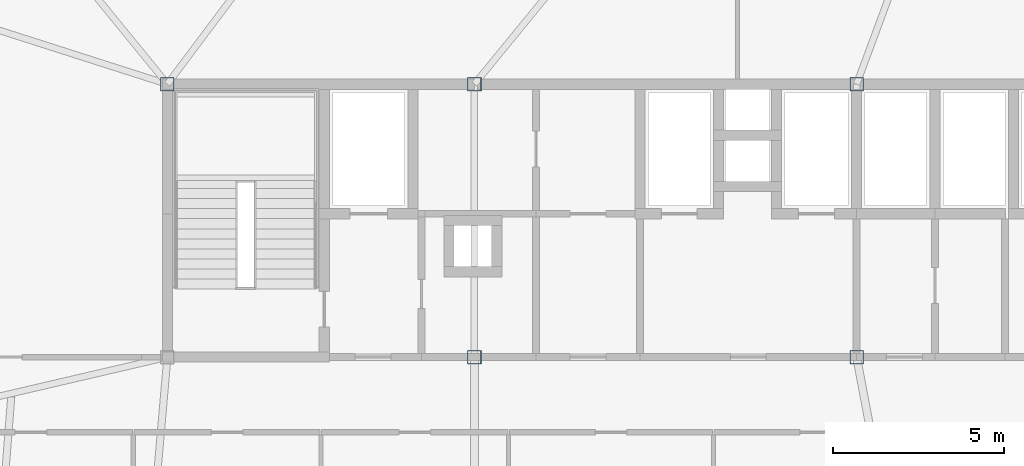
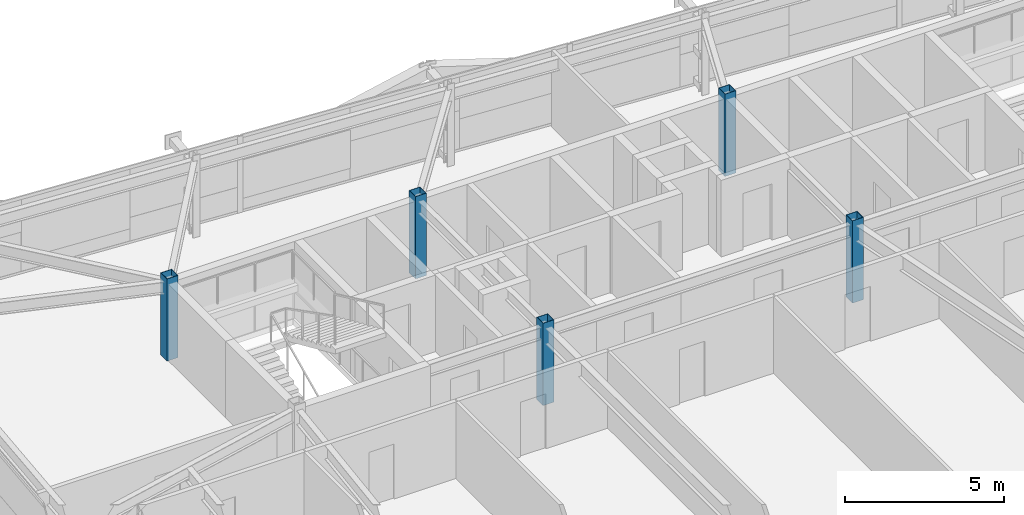
# One storey, part 2 of 39: 5 columns.
"""IFC4 building model written with IfcOpenShell, lengths in metres."""

from ifc_helpers import new_model, si_unit, direction, frame, origin, origin_2d, place, context, subcontext, project, spatial, hollow_rectangle, extrude, source, transform, mapped, material, material_profile, profile_set, type_object, element, save


model = new_model("IFC4")

# Units and contexts
model_context = context("Model", 3, precision=1e-05, world=origin(), true_north=direction((0.0, 1.0)))
body_context = subcontext(model_context, "Body", "Model", "MODEL_VIEW")
ifc_project = project(units=[si_unit("LENGTHUNIT", "METRE"), si_unit("AREAUNIT", "SQUARE_METRE"), si_unit("VOLUMEUNIT", "CUBIC_METRE"), si_unit("PLANEANGLEUNIT", "RADIAN"), si_unit("MASSUNIT", "GRAM", prefix="KILO")], contexts=[model_context])

# Site, building, storey
site_placement = place(None, origin())
site = spatial("IfcSite", under=ifc_project, at=site_placement, CompositionType="ELEMENT")
building_placement = place(site_placement, origin())
building = spatial("IfcBuilding", under=site, at=building_placement, Name="Taldren Reach Tower", CompositionType="ELEMENT")
storey_placement = place(building_placement, frame((0.0, 0.0, 123.550048828125)))
storey = spatial("IfcBuildingStorey", under=building, at=storey_placement, Name="L37", CompositionType="ELEMENT", Elevation=123.550048828125)

# Columns
ifc_material = material(Name="Steel Gr 450 (C450L0)", Category="steel")
ifc_material_profile = material_profile(ifc_material, hollow_rectangle(XDim=0.39990234375, YDim=0.39990234375, WallThickness=0.01611328125, at=origin_2d()), Name="400x400x16.0SHS")
ifc_profile_set = profile_set([ifc_material_profile], Name="Steel Gr 450 (C450L0)")
column_type = type_object("IfcColumnType", Name="COL-SHS400", PredefinedType="COLUMN", material=ifc_profile_set)
shared_shape = source(origin(), body_context, "Body", "SweptSolid", [
    extrude(hollow_rectangle(XDim=0.39990234375, YDim=0.39990234375, WallThickness=0.01611328125, at=origin_2d()), origin(), (0.0, 0.0, 1.0), 3.14990234375),
])
for number, where, z_axis, x_axis, name in (
    (1, (28.0, 24.0, 0.0), (0.0, 0.0, 1.0), (1.0, 0.0, 0.0), "Mega column MC-C2 L37"),
    (2, (39.199951171875, 24.0, 0.0), (0.0, 0.0, 1.0), (1.0, 0.0, 0.0), "Mega column MC-C3 L37"),
    (3, (19.0, 32.0, 0.0), (0.0, 0.0, 1.0), (1.0, 0.0, 0.0), "Mega column MC-C5 L37"),
    (4, (28.0, 32.0, 0.0), (0.0, 0.0, 1.0), (1.0, 0.0, 0.0), "Mega column MC-C6 L37"),
    (5, (39.199951171875, 32.0, 0.0), (0.0, 0.0, 1.0), (1.0, 0.0, 0.0), "Mega column MC-C7 L37"),
):
    element("IfcColumn", number, at=place(storey_placement, frame(where, z_axis=z_axis, x_axis=x_axis)), inside=storey, type_object=column_type, Name=name, PredefinedType="COLUMN", context=body_context, shape_type="MappedRepresentation", body=[
        mapped(shared_shape, transform((0.0, 0.0, 0.0), scale=1.0)),
    ])

save(model, "model.ifc")
